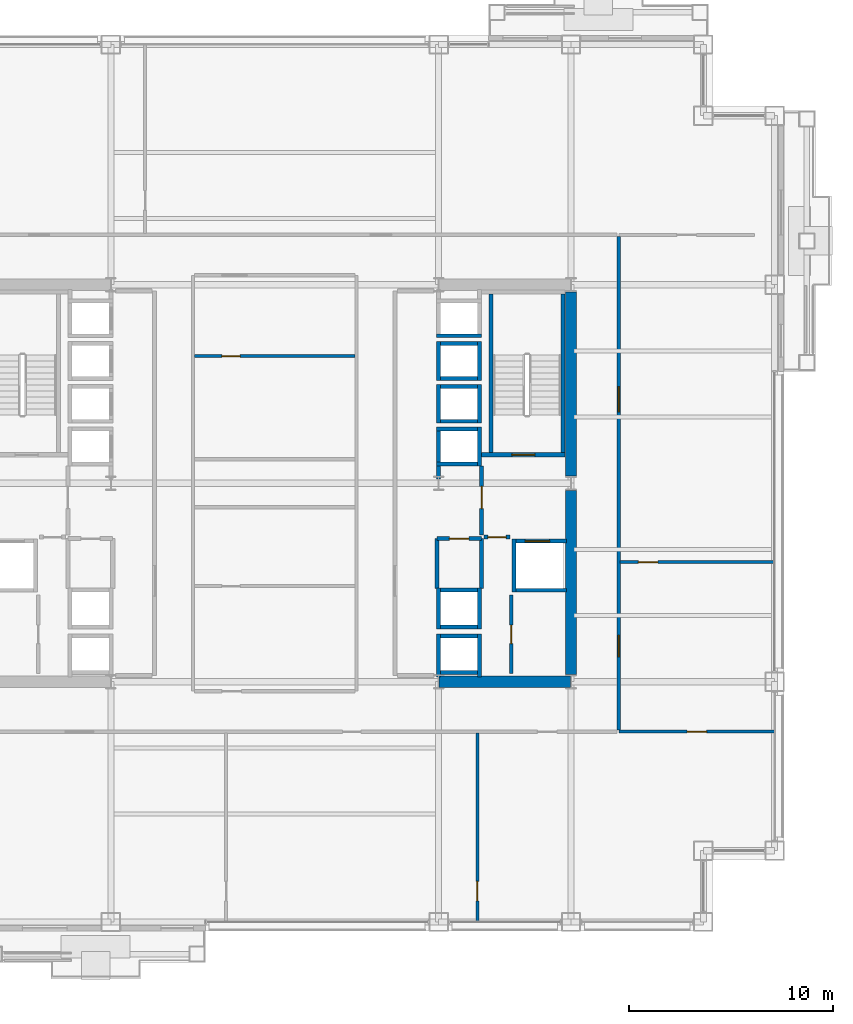
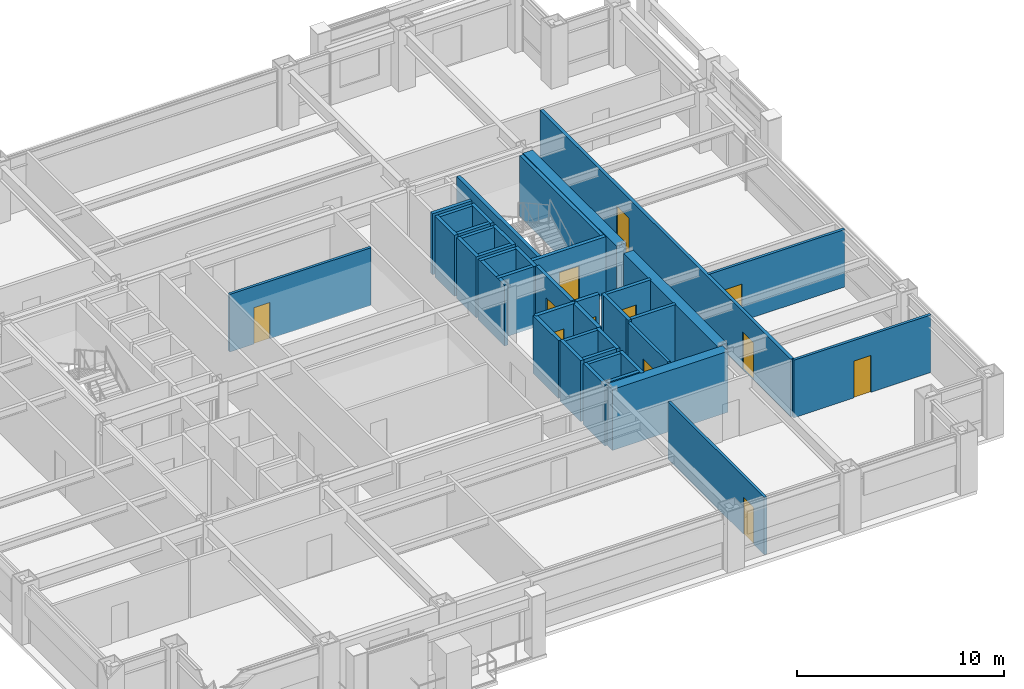
# One storey, part 27 of 31: 41 walls, 12 doors, 12 openings.
"""IFC4 building model written with IfcOpenShell, lengths in metres."""

from ifc_helpers import new_model, si_unit, direction, frame, frame_2d, origin, place, context, subcontext, project, spatial, rectangle, extrude, material, layer, layer_set, type_object, element, fill, save


model = new_model("IFC4")

# Units and contexts
model_context = context("Model", 3, precision=1e-05, world=origin(), true_north=direction((0.0, 1.0)))
body_context = subcontext(model_context, "Body", "Model", "MODEL_VIEW")
ifc_project = project(units=[si_unit("LENGTHUNIT", "METRE"), si_unit("AREAUNIT", "SQUARE_METRE"), si_unit("VOLUMEUNIT", "CUBIC_METRE"), si_unit("PLANEANGLEUNIT", "RADIAN"), si_unit("MASSUNIT", "GRAM", prefix="KILO")], contexts=[model_context])

# Site, building, storey
site_placement = place(None, origin())
site = spatial("IfcSite", under=ifc_project, at=site_placement, CompositionType="ELEMENT")
building_placement = place(site_placement, origin())
building = spatial("IfcBuilding", under=site, at=building_placement, Name="Brelmoor Portico Tower", CompositionType="ELEMENT")
storey_placement = place(building_placement, frame((0.0, 0.0, 27.60009765625)))
storey = spatial("IfcBuildingStorey", under=building, at=storey_placement, Name="L06", CompositionType="ELEMENT", Elevation=27.60009765625)

# Walls
ifc_material_1 = material(Name="Concrete C60", Category="concrete")
ifc_layer_1 = layer(ifc_material_1, 0.550048828125)
ifc_layer_set_1 = layer_set([ifc_layer_1], Name="Concrete C60")
wall_type_1 = type_object("IfcWallType", Name="WL-CORE-550", PredefinedType="SHEAR", material=ifc_layer_set_1)
wall_1_placement = place(storey_placement, frame((8.070068359375, -9.75, -0.2001953125), z_axis=(0.0, 0.0, 1.0), x_axis=(1.0, 0.0, 0.0)))
element("IfcWall", 1, at=wall_1_placement, inside=storey, type_object=wall_type_1, Name="L06 EC South Shear Wall", PredefinedType="SHEAR", context=body_context, shape_type="SweptSolid", body=[
    extrude(rectangle(XDim=6.4599609375, YDim=0.550048828125, at=frame_2d((3.22998046875, 0.0))), origin(), (0.0, 0.0, 1.0), 3.60009765625),
])
for number, where, z_axis, x_axis, name in (
    (2, (14.550048828125, -9.39990234375, -0.2001953125), (0.0, 0.0, 1.0), (0.0, 1.0, 0.0), "L06 EC Outer South Shear Wall"),
    (3, (14.550048828125, 0.35009765625, -0.2001953125), (0.0, 0.0, 1.0), (0.0, 1.0, 0.0), "L06 EC Outer North Shear Wall"),
):
    element("IfcWall", number, at=place(storey_placement, frame(where, z_axis=z_axis, x_axis=x_axis)), inside=storey, type_object=wall_type_1, Name=name, PredefinedType="SHEAR", context=body_context, shape_type="SweptSolid", body=[
        extrude(rectangle(XDim=9.0498046875, YDim=0.550048828125, at=frame_2d((4.52490234375, 0.0))), origin(), (0.0, 0.0, 1.0), 3.60009765625),
    ])

# Wall, opening, door
ifc_material_2 = material(Name="Wet-Area Moisture-Resistant Partition", Category="gypsum")
ifc_layer_2 = layer(ifc_material_2, 0.14990234375)
ifc_layer_set_2 = layer_set([ifc_layer_2], Name="Wet-Area Moisture-Resistant Partition")
wall_type_2 = type_object("IfcWallType", Name="WL-PART-150", PredefinedType="PARTITIONING", material=ifc_layer_set_2)
wall_2_placement = place(storey_placement, frame((-3.949951171875, 6.239990234375, 0.0), z_axis=(0.0, 0.0, 1.0), x_axis=(1.0, 0.0, 0.0)))
wall_2 = element("IfcWall", 4, at=wall_2_placement, inside=storey, type_object=wall_type_2, Name="L06 Central Archive Divider", PredefinedType="PARTITIONING", context=body_context, shape_type="SweptSolid", body=[
    extrude(rectangle(XDim=7.89990234375, YDim=0.14990234375, at=frame_2d((3.949951171875, 0.0))), origin(), (0.0, 0.0, 1.0), 3.39990234375),
])
opening_1_placement = place(wall_2_placement, frame((1.35009765625, 0.0, 0.0)))
opening_1 = element("IfcOpeningElement", 5, at=opening_1_placement, cuts=wall_2, Name="Opening D-IN1", PredefinedType="OPENING", context=body_context, shape_type="SweptSolid", body=[
    extrude(rectangle(XDim=0.89990234375, YDim=2.14990234375, at=frame_2d((0.449951171875, 1.074951171875))), frame((0.0, 0.0849609375, 0.0), z_axis=(0.0, -1.0, 0.0), x_axis=(1.0, 0.0, 0.0)), (0.0, 0.0, 1.0), 0.169921875),
])
ifc_material_3 = material(Name="Lacquered Timber Suite Door", Category="wood")
door_type_1 = type_object("IfcDoorType", Name="DR-INT-900", OperationType="NOTDEFINED", PredefinedType="DOOR", material=ifc_material_3)
door_1_placement = place(opening_1_placement, origin())
door_1 = element("IfcDoor", 6, at=door_1_placement, inside=storey, type_object=door_type_1, Name="D-0267 L06 Central File Room Door", OperationType="SINGLE_SWING_LEFT", OverallHeight=2.14990234375, OverallWidth=0.89990234375, PredefinedType="DOOR", context=body_context, shape_type="SweptSolid", body=[
    extrude(rectangle(XDim=0.89990234375, YDim=2.14990234375, at=frame_2d((0.449951171875, 1.074951171875))), frame((0.0, 0.02490234375, 0.0), z_axis=(0.0, -1.0, 0.0), x_axis=(1.0, 0.0, 0.0)), (0.0, 0.0, 1.0), 0.050048828125),
])
fill(opening_1, door_1)

wall_3_placement = place(storey_placement, frame((9.955078125, -21.56005859375, 0.0), z_axis=(0.0, 0.0, 1.0), x_axis=(0.0, 1.0, 0.0)))
wall_3 = element("IfcWall", 7, at=wall_3_placement, inside=storey, type_object=wall_type_2, Name="L06 South Suite Partition 2", PredefinedType="PARTITIONING", context=body_context, shape_type="SweptSolid", body=[
    extrude(rectangle(XDim=9.300048828125, YDim=0.14990234375, at=frame_2d((4.64990234375, 0.0))), origin(), (0.0, 0.0, 1.0), 3.39990234375),
])
opening_2_placement = place(wall_3_placement, frame((1.050048828125, 0.0, 0.0)))
opening_2 = element("IfcOpeningElement", 8, at=opening_2_placement, cuts=wall_3, Name="Opening D-IN2", PredefinedType="OPENING", context=body_context, shape_type="SweptSolid", body=[
    extrude(rectangle(XDim=0.9599609375, YDim=2.179931640625, at=frame_2d((0.47998046875, 1.08984375))), frame((0.0, 0.0849609375, 0.0), z_axis=(0.0, -1.0, 0.0), x_axis=(1.0, 0.0, 0.0)), (0.0, 0.0, 1.0), 0.169921875),
])
door_type_2 = type_object("IfcDoorType", Name="DR-INT-950", OperationType="NOTDEFINED", PredefinedType="DOOR", material=ifc_material_3)
door_2_placement = place(opening_2_placement, origin())
door_2 = element("IfcDoor", 9, at=door_2_placement, inside=storey, type_object=door_type_2, Name="D-0289 L06 South Suite Connecting Door 2", OperationType="SINGLE_SWING_LEFT", OverallHeight=2.179931640625, OverallWidth=0.9599609375, PredefinedType="DOOR", context=body_context, shape_type="SweptSolid", body=[
    extrude(rectangle(XDim=0.9599609375, YDim=2.179931640625, at=frame_2d((0.47998046875, 1.08984375))), frame((0.0, 0.02490234375, 0.0), z_axis=(0.0, -1.0, 0.0), x_axis=(1.0, 0.0, 0.0)), (0.0, 0.0, 1.0), 0.050048828125),
])
fill(opening_2, door_2)

wall_4_placement = place(storey_placement, frame((16.89990234375, -12.199951171875, 0.0), z_axis=(0.0, 0.0, 1.0), x_axis=(1.0, 0.0, 0.0)))
wall_4 = element("IfcWall", 10, at=wall_4_placement, inside=storey, type_object=wall_type_2, Name="L06 South Outer Closure ER", PredefinedType="PARTITIONING", context=body_context, shape_type="SweptSolid", body=[
    extrude(rectangle(XDim=7.66015625, YDim=0.14990234375, at=frame_2d((3.830078125, 0.0))), origin(), (0.0, 0.0, 1.0), 3.39990234375),
])
opening_3_placement = place(wall_4_placement, frame((3.35009765625, 0.0, 0.0)))
opening_3 = element("IfcOpeningElement", 11, at=opening_3_placement, cuts=wall_4, Name="Opening D-IN2", PredefinedType="OPENING", context=body_context, shape_type="SweptSolid", body=[
    extrude(rectangle(XDim=0.9599609375, YDim=2.179931640625, at=frame_2d((0.47998046875, 1.08984375))), frame((0.0, 0.0849609375, 0.0), z_axis=(0.0, -1.0, 0.0), x_axis=(1.0, 0.0, 0.0)), (0.0, 0.0, 1.0), 0.169921875),
])
door_3_placement = place(opening_3_placement, origin())
door_3 = element("IfcDoor", 12, at=door_3_placement, inside=storey, type_object=door_type_2, Name="D-0292 L06 ER South Corner Suite Door", OperationType="SINGLE_SWING_LEFT", OverallHeight=2.179931640625, OverallWidth=0.9599609375, PredefinedType="DOOR", context=body_context, shape_type="SweptSolid", body=[
    extrude(rectangle(XDim=0.9599609375, YDim=2.179931640625, at=frame_2d((0.47998046875, 1.08984375))), frame((0.0, 0.02490234375, 0.0), z_axis=(0.0, -1.0, 0.0), x_axis=(1.0, 0.0, 0.0)), (0.0, 0.0, 1.0), 0.050048828125),
])
fill(opening_3, door_3)

wall_5_placement = place(storey_placement, frame((16.9599609375, -3.87841796875, 0.0), z_axis=(0.0, 0.0, 1.0), x_axis=(1.0, 0.0, 0.0)))
wall_5 = element("IfcWall", 13, at=wall_5_placement, inside=storey, type_object=wall_type_2, Name="L06 E Wing Partition 1", PredefinedType="PARTITIONING", context=body_context, shape_type="SweptSolid", body=[
    extrude(rectangle(XDim=7.60009765625, YDim=0.14990234375, at=frame_2d((3.800048828125, 0.0))), origin(), (0.0, 0.0, 1.0), 3.39990234375),
])
opening_4_placement = place(wall_5_placement, frame((0.89990234375, 0.0, 0.0)))
opening_4 = element("IfcOpeningElement", 14, at=opening_4_placement, cuts=wall_5, Name="Opening D-IN2", PredefinedType="OPENING", context=body_context, shape_type="SweptSolid", body=[
    extrude(rectangle(XDim=0.9599609375, YDim=2.179931640625, at=frame_2d((0.47998046875, 1.08984375))), frame((0.0, 0.0849609375, 0.0), z_axis=(0.0, -1.0, 0.0), x_axis=(1.0, 0.0, 0.0)), (0.0, 0.0, 1.0), 0.169921875),
])
door_4_placement = place(opening_4_placement, origin())
door_4 = element("IfcDoor", 15, at=door_4_placement, inside=storey, type_object=door_type_2, Name="D-0299 L06 E Wing Suite Connecting Door 1", OperationType="SINGLE_SWING_LEFT", OverallHeight=2.179931640625, OverallWidth=0.9599609375, PredefinedType="DOOR", context=body_context, shape_type="SweptSolid", body=[
    extrude(rectangle(XDim=0.9599609375, YDim=2.179931640625, at=frame_2d((0.47998046875, 1.08984375))), frame((0.0, 0.02490234375, 0.0), z_axis=(0.0, -1.0, 0.0), x_axis=(1.0, 0.0, 0.0)), (0.0, 0.0, 1.0), 0.050048828125),
])
fill(opening_4, door_4)

ifc_material_4 = material(Name="Twin-Frame Acoustic Partition", Category="gypsum")
ifc_layer_3 = layer(ifc_material_4, 0.159912109375)
ifc_layer_set_3 = layer_set([ifc_layer_3], Name="Twin-Frame Acoustic Partition")
wall_type_3 = type_object("IfcWallType", Name="WL-PART-160", PredefinedType="PARTITIONING", material=ifc_layer_set_3)
wall_6_placement = place(storey_placement, frame((11.6201171875, -9.35009765625, 0.0), z_axis=(0.0, 0.0, 1.0), x_axis=(0.0, 1.0, 0.0)))
wall_6 = element("IfcWall", 16, at=wall_6_placement, inside=storey, type_object=wall_type_3, Name="L06 E Core Service Front Wall", PredefinedType="PARTITIONING", context=body_context, shape_type="SweptSolid", body=[
    extrude(rectangle(XDim=3.85009765625, YDim=0.159912109375, at=frame_2d((1.925048828125, 0.0))), origin(), (0.0, 0.0, 1.0), 3.39990234375),
])
opening_5_placement = place(wall_6_placement, frame((1.47509765625, 0.0, 0.0)))
opening_5 = element("IfcOpeningElement", 17, at=opening_5_placement, cuts=wall_6, Name="Opening D-IN1", PredefinedType="OPENING", context=body_context, shape_type="SweptSolid", body=[
    extrude(rectangle(XDim=0.89990234375, YDim=2.14990234375, at=frame_2d((0.449951171875, 1.074951171875))), frame((0.0, 0.08984375, 0.0), z_axis=(0.0, -1.0, 0.0), x_axis=(1.0, 0.0, 0.0)), (0.0, 0.0, 1.0), 0.179931640625),
])
door_5_placement = place(opening_5_placement, origin())
door_5 = element("IfcDoor", 18, at=door_5_placement, inside=storey, type_object=door_type_1, Name="D-0270 L06 E Male WC Door", OperationType="SINGLE_SWING_RIGHT", OverallHeight=2.14990234375, OverallWidth=0.89990234375, PredefinedType="DOOR", context=body_context, shape_type="SweptSolid", body=[
    extrude(rectangle(XDim=0.89990234375, YDim=2.14990234375, at=frame_2d((0.449951171875, 1.074951171875))), frame((0.0, 0.02490234375, 0.0), z_axis=(0.0, -1.0, 0.0), x_axis=(1.0, 0.0, 0.0)), (0.0, 0.0, 1.0), 0.050048828125),
])
fill(opening_5, door_5)

# Wall, openings, doors
ifc_material_5 = material(Name="Acoustic Corridor Fire Partition", Category="gypsum")
ifc_layer_4 = layer(ifc_material_5, 0.179931640625)
ifc_layer_set_4 = layer_set([ifc_layer_4], Name="Acoustic Corridor Fire Partition")
wall_type_4 = type_object("IfcWallType", Name="WL-PART-180", PredefinedType="PARTITIONING", material=ifc_layer_set_4)
wall_7_placement = place(storey_placement, frame((16.89990234375, -12.1201171875, 0.0), z_axis=(0.0, 0.0, 1.0), x_axis=(0.0, 1.0, 0.0)))
wall_7 = element("IfcWall", 19, at=wall_7_placement, inside=storey, type_object=wall_type_4, Name="L06 E Wing Corridor Wall", PredefinedType="PARTITIONING", context=body_context, shape_type="SweptSolid", body=[
    extrude(rectangle(XDim=24.240234375, YDim=0.179931640625, at=frame_2d((12.1201171875, 0.0))), origin(), (0.0, 0.0, 1.0), 3.39990234375),
])
opening_6_placement = place(wall_7_placement, frame((3.5908203125, 0.0, 0.0)))
opening_6 = element("IfcOpeningElement", 20, at=opening_6_placement, cuts=wall_7, Name="Opening D-OF2", PredefinedType="OPENING", context=body_context, shape_type="SweptSolid", body=[
    extrude(rectangle(XDim=1.06005859375, YDim=2.199951171875, at=frame_2d((0.530029296875, 1.10009765625))), frame((0.0, 0.099853515625, 0.0), z_axis=(0.0, -1.0, 0.0), x_axis=(1.0, 0.0, 0.0)), (0.0, 0.0, 1.0), 0.199951171875),
])
opening_7_placement = place(wall_7_placement, frame((15.620849609375, 0.0, 0.0)))
opening_7 = element("IfcOpeningElement", 21, at=opening_7_placement, cuts=wall_7, Name="Opening D-SU1", PredefinedType="OPENING", context=body_context, shape_type="SweptSolid", body=[
    extrude(rectangle(XDim=1.239990234375, YDim=2.239990234375, at=frame_2d((0.6201171875, 1.1201171875))), frame((0.0, 0.099853515625, 0.0), z_axis=(0.0, -1.0, 0.0), x_axis=(1.0, 0.0, 0.0)), (0.0, 0.0, 1.0), 0.199951171875),
])
ifc_material_6 = material(Name="Hardwood Acoustic Veneer Door", Category="wood")
door_type_3 = type_object("IfcDoorType", Name="DR-OFFICE-1050", OperationType="NOTDEFINED", PredefinedType="DOOR", material=ifc_material_6)
door_6_placement = place(opening_6_placement, origin())
door_6 = element("IfcDoor", 22, at=door_6_placement, inside=storey, type_object=door_type_3, Name="D-0297 L06 E Client Reception Room 1 Door", OperationType="SINGLE_SWING_RIGHT", OverallHeight=2.199951171875, OverallWidth=1.06005859375, PredefinedType="DOOR", context=body_context, shape_type="SweptSolid", body=[
    extrude(rectangle(XDim=1.06005859375, YDim=2.199951171875, at=frame_2d((0.530029296875, 1.10009765625))), frame((0.0, 0.02490234375, 0.0), z_axis=(0.0, -1.0, 0.0), x_axis=(1.0, 0.0, 0.0)), (0.0, 0.0, 1.0), 0.050048828125),
])
fill(opening_6, door_6)
ifc_material_7 = material(Name="Glazed Timber Executive Suite Door", Category="wood")
door_type_4 = type_object("IfcDoorType", Name="DR-SUITE-1200", OperationType="NOTDEFINED", PredefinedType="DOOR", material=ifc_material_7)
door_7_placement = place(opening_7_placement, origin())
door_7 = element("IfcDoor", 23, at=door_7_placement, inside=storey, type_object=door_type_4, Name="D-0298 L06 E Technical Archive Store 2 Door", OperationType="SINGLE_SWING_LEFT", OverallHeight=2.239990234375, OverallWidth=1.239990234375, PredefinedType="DOOR", context=body_context, shape_type="SweptSolid", body=[
    extrude(rectangle(XDim=1.239990234375, YDim=2.239990234375, at=frame_2d((0.6201171875, 1.1201171875))), frame((0.0, 0.02490234375, 0.0), z_axis=(0.0, -1.0, 0.0), x_axis=(1.0, 0.0, 0.0)), (0.0, 0.0, 1.0), 0.050048828125),
])
fill(opening_7, door_7)

# Wall, opening, door
ifc_material_8 = material(Name="Double-Stud Gypsum Fire Partition", Category="gypsum")
ifc_layer_5 = layer(ifc_material_8, 0.199951171875)
ifc_layer_set_5 = layer_set([ifc_layer_5], Name="Double-Stud Gypsum Fire Partition")
wall_type_5 = type_object("IfcWallType", Name="WL-PART-200", PredefinedType="PARTITIONING", material=ifc_layer_set_5)
wall_8_placement = place(storey_placement, frame((10.159912109375, -2.550048828125, 0.0), z_axis=(0.0, 0.0, 1.0), x_axis=(0.0, 1.0, 0.0)))
wall_8 = element("IfcWall", 24, at=wall_8_placement, inside=storey, type_object=wall_type_5, Name="L06 E Firefighting Lobby Wall", PredefinedType="PARTITIONING", context=body_context, shape_type="SweptSolid", body=[
    extrude(rectangle(XDim=3.400146484375, YDim=0.199951171875, at=frame_2d((1.7001953125, 0.0))), origin(), (0.0, 0.0, 1.0), 3.39990234375),
])
opening_8_placement = place(wall_8_placement, frame((1.300048828125, 0.0, 0.0)))
opening_8 = element("IfcOpeningElement", 25, at=opening_8_placement, cuts=wall_8, Name="Opening D-FR1", PredefinedType="OPENING", context=body_context, shape_type="SweptSolid", body=[
    extrude(rectangle(XDim=1.10009765625, YDim=2.14990234375, at=frame_2d((0.550048828125, 1.074951171875))), frame((0.0, 0.10986328125, 0.0), z_axis=(0.0, -1.0, 0.0), x_axis=(1.0, 0.0, 0.0)), (0.0, 0.0, 1.0), 0.219970703125),
])
ifc_material_9 = material(Name="Painted Galvanised Steel Fire Door", Category="steel")
door_type_5 = type_object("IfcDoorType", Name="DR-FIRE-1100", OperationType="NOTDEFINED", PredefinedType="DOOR", material=ifc_material_9)
door_8_placement = place(opening_8_placement, origin())
door_8 = element("IfcDoor", 26, at=door_8_placement, inside=storey, type_object=door_type_5, Name="D-0276 L06 E Firefighting Lobby Door", OperationType="SINGLE_SWING_LEFT", OverallHeight=2.14990234375, OverallWidth=1.10009765625, PredefinedType="DOOR", context=body_context, shape_type="SweptSolid", body=[
    extrude(rectangle(XDim=1.10009765625, YDim=2.14990234375, at=frame_2d((0.550048828125, 1.074951171875))), frame((0.0, 0.02490234375, 0.0), z_axis=(0.0, -1.0, 0.0), x_axis=(1.0, 0.0, 0.0)), (0.0, 0.0, 1.0), 0.050048828125),
])
fill(opening_8, door_8)

wall_9_placement = place(storey_placement, frame((10.280029296875, -2.64990234375, 0.0), z_axis=(0.0, 0.0, 1.0), x_axis=(1.0, 0.0, 0.0)))
wall_9 = element("IfcWall", 27, at=wall_9_placement, inside=storey, type_object=wall_type_5, Name="L06 E Firefighting Lobby South Wall", PredefinedType="PARTITIONING", context=body_context, shape_type="SweptSolid", body=[
    extrude(rectangle(XDim=1.27001953125, YDim=0.199951171875, at=frame_2d((0.635009765625, 0.0))), origin(), (0.0, 0.0, 1.0), 3.39990234375),
])
opening_9_placement = place(wall_9_placement, frame((0.18505859375, 0.0, 0.0)))
opening_9 = element("IfcOpeningElement", 28, at=opening_9_placement, cuts=wall_9, Name="Opening D-IN1", PredefinedType="OPENING", context=body_context, shape_type="SweptSolid", body=[
    extrude(rectangle(XDim=0.89990234375, YDim=2.14990234375, at=frame_2d((0.449951171875, 1.074951171875))), frame((0.0, 0.10986328125, 0.0), z_axis=(0.0, -1.0, 0.0), x_axis=(1.0, 0.0, 0.0)), (0.0, 0.0, 1.0), 0.219970703125),
])
door_9_placement = place(opening_9_placement, origin())
door_9 = element("IfcDoor", 29, at=door_9_placement, inside=storey, type_object=door_type_1, Name="D-0271 L06 E Core Service Vestibule Door", OperationType="SINGLE_SWING_RIGHT", OverallHeight=2.14990234375, OverallWidth=0.89990234375, PredefinedType="DOOR", context=body_context, shape_type="SweptSolid", body=[
    extrude(rectangle(XDim=0.89990234375, YDim=2.14990234375, at=frame_2d((0.449951171875, 1.074951171875))), frame((0.0, 0.02490234375, 0.0), z_axis=(0.0, -1.0, 0.0), x_axis=(1.0, 0.0, 0.0)), (0.0, 0.0, 1.0), 0.050048828125),
])
fill(opening_9, door_9)

wall_10_placement = place(storey_placement, frame((7.9599609375, -2.719970703125, 0.0), z_axis=(0.0, 0.0, 1.0), x_axis=(1.0, 0.0, 0.0)))
wall_10 = element("IfcWall", 30, at=wall_10_placement, inside=storey, type_object=wall_type_5, Name="L06 E Electrical Switchgear Closet Wall", PredefinedType="PARTITIONING", context=body_context, shape_type="SweptSolid", body=[
    extrude(rectangle(XDim=2.199951171875, YDim=0.199951171875, at=frame_2d((1.10009765625, 0.0))), origin(), (0.0, 0.0, 1.0), 3.39990234375),
])
opening_10_placement = place(wall_10_placement, frame((0.6201171875, 0.0, 0.0)))
opening_10 = element("IfcOpeningElement", 31, at=opening_10_placement, cuts=wall_10, Name="Opening D-FR4", PredefinedType="OPENING", context=body_context, shape_type="SweptSolid", body=[
    extrude(rectangle(XDim=0.949951171875, YDim=2.10009765625, at=frame_2d((0.47509765625, 1.050048828125))), frame((0.0, 0.10986328125, 0.0), z_axis=(0.0, -1.0, 0.0), x_axis=(1.0, 0.0, 0.0)), (0.0, 0.0, 1.0), 0.219970703125),
])
ifc_material_10 = material(Name="Painted Galvanised Steel Riser Door", Category="steel")
door_type_6 = type_object("IfcDoorType", Name="DR-FIRE-950", OperationType="NOTDEFINED", PredefinedType="DOOR", material=ifc_material_10)
door_10_placement = place(opening_10_placement, origin())
door_10 = element("IfcDoor", 32, at=door_10_placement, inside=storey, type_object=door_type_6, Name="D-0274 L06 E Electrical Switchgear Closet Door", OperationType="SINGLE_SWING_LEFT", OverallHeight=2.10009765625, OverallWidth=0.949951171875, PredefinedType="DOOR", context=body_context, shape_type="SweptSolid", body=[
    extrude(rectangle(XDim=0.949951171875, YDim=2.10009765625, at=frame_2d((0.47509765625, 1.050048828125))), frame((0.0, 0.02490234375, 0.0), z_axis=(0.0, -1.0, 0.0), x_axis=(1.0, 0.0, 0.0)), (0.0, 0.0, 1.0), 0.050048828125),
])
fill(opening_10, door_10)

# Walls
for number, where, z_axis, x_axis, name in (
    (33, (7.9599609375, -5.159912109375, 0.0), (0.0, 0.0, 1.0), (0.0, 1.0, 0.0), "L06 E Electrical Switchgear Closet Inner Wall"),
    (34, (10.159912109375, -5.159912109375, 0.0), (0.0, 0.0, 1.0), (0.0, 1.0, 0.0), "L06 E Electrical Switchgear Closet Outer Wall"),
):
    element("IfcWall", number, at=place(storey_placement, frame(where, z_axis=z_axis, x_axis=x_axis)), inside=storey, type_object=wall_type_5, Name=name, PredefinedType="PARTITIONING", context=body_context, shape_type="SweptSolid", body=[
        extrude(rectangle(XDim=2.43994140625, YDim=0.199951171875, at=frame_2d((1.219970703125, 0.0))), origin(), (0.0, 0.0, 1.0), 3.39990234375),
    ])
ifc_material_11 = material(Name="Precast Concrete C40", Category="concrete")
ifc_layer_6 = layer(ifc_material_11, 0.18994140625)
ifc_layer_set_6 = layer_set([ifc_layer_6], Name="Precast Concrete C40")
wall_type_6 = type_object("IfcWallType", Name="WL-SHAFT-180", PredefinedType="SOLIDWALL", material=ifc_layer_set_6)
wall_11_placement = place(storey_placement, frame((8.044921875, 0.2099609375, -0.2001953125), z_axis=(0.0, 0.0, 1.0), x_axis=(0.0, 1.0, 0.0)))
element("IfcWall", 35, at=wall_11_placement, inside=storey, type_object=wall_type_6, Name="L06 Lift PM1 Hoistway Front Wall", PredefinedType="SOLIDWALL", context=body_context, shape_type="SweptSolid", body=[
    extrude(rectangle(XDim=2.5400390625, YDim=0.18994140625, at=frame_2d((1.27001953125, 0.0))), origin(), (0.0, 0.0, 1.0), 3.60009765625),
])
wall_12_placement = place(storey_placement, frame((10.054931640625, 0.85009765625, -0.2001953125), z_axis=(0.0, 0.0, 1.0), x_axis=(0.0, 1.0, 0.0)))
element("IfcWall", 36, at=wall_12_placement, inside=storey, type_object=wall_type_6, Name="L06 Lift PM1 Hoistway Back Wall", PredefinedType="SOLIDWALL", context=body_context, shape_type="SweptSolid", body=[
    extrude(rectangle(XDim=1.89990234375, YDim=0.18994140625, at=frame_2d((0.949951171875, 0.0))), origin(), (0.0, 0.0, 1.0), 3.60009765625),
])
for number, where, z_axis, x_axis, name in (
    (37, (7.949951171875, 2.655029296875, -0.2001953125), (0.0, 0.0, 1.0), (1.0, 0.0, 0.0), "L06 Lift PM1 Hoistway North Wall"),
    (38, (7.949951171875, 0.945068359375, -0.2001953125), (0.0, 0.0, 1.0), (1.0, 0.0, 0.0), "L06 Lift PM1 Hoistway South Wall"),
):
    element("IfcWall", number, at=place(storey_placement, frame(where, z_axis=z_axis, x_axis=x_axis)), inside=storey, type_object=wall_type_6, Name=name, PredefinedType="SOLIDWALL", context=body_context, shape_type="SweptSolid", body=[
        extrude(rectangle(XDim=2.199951171875, YDim=0.18994140625, at=frame_2d((1.10009765625, 0.0))), origin(), (0.0, 0.0, 1.0), 3.60009765625),
    ])
for number, where, z_axis, x_axis, name in (
    (39, (8.044921875, 2.949951171875, -0.2001953125), (0.0, 0.0, 1.0), (0.0, 1.0, 0.0), "L06 Lift PM2 Hoistway Front Wall"),
    (40, (10.054931640625, 2.949951171875, -0.2001953125), (0.0, 0.0, 1.0), (0.0, 1.0, 0.0), "L06 Lift PM2 Hoistway Back Wall"),
):
    element("IfcWall", number, at=place(storey_placement, frame(where, z_axis=z_axis, x_axis=x_axis)), inside=storey, type_object=wall_type_6, Name=name, PredefinedType="SOLIDWALL", context=body_context, shape_type="SweptSolid", body=[
        extrude(rectangle(XDim=1.900146484375, YDim=0.18994140625, at=frame_2d((0.9501953125, 0.0))), origin(), (0.0, 0.0, 1.0), 3.60009765625),
    ])
for number, where, z_axis, x_axis, name in (
    (41, (7.949951171875, 4.7548828125, -0.2001953125), (0.0, 0.0, 1.0), (1.0, 0.0, 0.0), "L06 Lift PM2 Hoistway North Wall"),
    (42, (7.949951171875, 3.044921875, -0.2001953125), (0.0, 0.0, 1.0), (1.0, 0.0, 0.0), "L06 Lift PM2 Hoistway South Wall"),
):
    element("IfcWall", number, at=place(storey_placement, frame(where, z_axis=z_axis, x_axis=x_axis)), inside=storey, type_object=wall_type_6, Name=name, PredefinedType="SOLIDWALL", context=body_context, shape_type="SweptSolid", body=[
        extrude(rectangle(XDim=2.199951171875, YDim=0.18994140625, at=frame_2d((1.10009765625, 0.0))), origin(), (0.0, 0.0, 1.0), 3.60009765625),
    ])
for number, where, z_axis, x_axis, name in (
    (43, (8.044921875, 5.050048828125, -0.2001953125), (0.0, 0.0, 1.0), (0.0, 1.0, 0.0), "L06 Lift PM3 Hoistway Front Wall"),
    (44, (10.054931640625, 5.050048828125, -0.2001953125), (0.0, 0.0, 1.0), (0.0, 1.0, 0.0), "L06 Lift PM3 Hoistway Back Wall"),
):
    element("IfcWall", number, at=place(storey_placement, frame(where, z_axis=z_axis, x_axis=x_axis)), inside=storey, type_object=wall_type_6, Name=name, PredefinedType="SOLIDWALL", context=body_context, shape_type="SweptSolid", body=[
        extrude(rectangle(XDim=1.89990234375, YDim=0.18994140625, at=frame_2d((0.949951171875, 0.0))), origin(), (0.0, 0.0, 1.0), 3.60009765625),
    ])
for number, where, z_axis, x_axis, name in (
    (45, (7.949951171875, 6.85498046875, -0.2001953125), (0.0, 0.0, 1.0), (1.0, 0.0, 0.0), "L06 Lift PM3 Hoistway North Wall"),
    (46, (7.949951171875, 5.14501953125, -0.2001953125), (0.0, 0.0, 1.0), (1.0, 0.0, 0.0), "L06 Lift PM3 Hoistway South Wall"),
    (47, (7.949951171875, 7.2451171875, -0.2001953125), (0.0, 0.0, 1.0), (1.0, 0.0, 0.0), "L06 Lift PM4 Hoistway South Wall"),
):
    element("IfcWall", number, at=place(storey_placement, frame(where, z_axis=z_axis, x_axis=x_axis)), inside=storey, type_object=wall_type_6, Name=name, PredefinedType="SOLIDWALL", context=body_context, shape_type="SweptSolid", body=[
        extrude(rectangle(XDim=2.199951171875, YDim=0.18994140625, at=frame_2d((1.10009765625, 0.0))), origin(), (0.0, 0.0, 1.0), 3.60009765625),
    ])
for number, where, z_axis, x_axis, name in (
    (48, (8.044921875, -9.52001953125, -0.2001953125), (0.0, 0.0, 1.0), (0.0, 1.0, 0.0), "L06 Lift PH3 Hoistway Front Wall"),
    (49, (10.054931640625, -9.52001953125, -0.2001953125), (0.0, 0.0, 1.0), (0.0, 1.0, 0.0), "L06 Lift PH3 Hoistway Back Wall"),
):
    element("IfcWall", number, at=place(storey_placement, frame(where, z_axis=z_axis, x_axis=x_axis)), inside=storey, type_object=wall_type_6, Name=name, PredefinedType="SOLIDWALL", context=body_context, shape_type="SweptSolid", body=[
        extrude(rectangle(XDim=2.1201171875, YDim=0.18994140625, at=frame_2d((1.06005859375, 0.0))), origin(), (0.0, 0.0, 1.0), 3.60009765625),
    ])
for number, where, z_axis, x_axis, name in (
    (50, (7.949951171875, -7.4951171875, -0.2001953125), (0.0, 0.0, 1.0), (1.0, 0.0, 0.0), "L06 Lift PH3 Hoistway North Wall"),
    (51, (7.949951171875, -9.304931640625, -0.2001953125), (0.0, 0.0, 1.0), (1.0, 0.0, 0.0), "L06 Lift PH3 Hoistway South Wall"),
):
    element("IfcWall", number, at=place(storey_placement, frame(where, z_axis=z_axis, x_axis=x_axis)), inside=storey, type_object=wall_type_6, Name=name, PredefinedType="SOLIDWALL", context=body_context, shape_type="SweptSolid", body=[
        extrude(rectangle(XDim=2.199951171875, YDim=0.18994140625, at=frame_2d((1.10009765625, 0.0))), origin(), (0.0, 0.0, 1.0), 3.60009765625),
    ])
for number, where, z_axis, x_axis, name in (
    (52, (8.044921875, -7.14990234375, -0.2001953125), (0.0, 0.0, 1.0), (0.0, 1.0, 0.0), "L06 Lift PH4 Hoistway Front Wall"),
    (53, (10.054931640625, -7.14990234375, -0.2001953125), (0.0, 0.0, 1.0), (0.0, 1.0, 0.0), "L06 Lift PH4 Hoistway Back Wall"),
):
    element("IfcWall", number, at=place(storey_placement, frame(where, z_axis=z_axis, x_axis=x_axis)), inside=storey, type_object=wall_type_6, Name=name, PredefinedType="SOLIDWALL", context=body_context, shape_type="SweptSolid", body=[
        extrude(rectangle(XDim=2.0, YDim=0.18994140625, at=frame_2d((1.0, 0.0))), origin(), (0.0, 0.0, 1.0), 3.60009765625),
    ])
for number, where, z_axis, x_axis, name in (
    (54, (7.949951171875, -5.2451171875, -0.2001953125), (0.0, 0.0, 1.0), (1.0, 0.0, 0.0), "L06 Lift PH4 Hoistway North Wall"),
    (55, (7.949951171875, -7.054931640625, -0.2001953125), (0.0, 0.0, 1.0), (1.0, 0.0, 0.0), "L06 Lift PH4 Hoistway South Wall"),
):
    element("IfcWall", number, at=place(storey_placement, frame(where, z_axis=z_axis, x_axis=x_axis)), inside=storey, type_object=wall_type_6, Name=name, PredefinedType="SOLIDWALL", context=body_context, shape_type="SweptSolid", body=[
        extrude(rectangle(XDim=2.199951171875, YDim=0.18994140625, at=frame_2d((1.10009765625, 0.0))), origin(), (0.0, 0.0, 1.0), 3.60009765625),
    ])

# Wall, opening, door
wall_13_placement = place(storey_placement, frame((11.64990234375, -2.844970703125, -0.2001953125), z_axis=(0.0, 0.0, 1.0), x_axis=(1.0, 0.0, 0.0)))
wall_13 = element("IfcWall", 56, at=wall_13_placement, inside=storey, type_object=wall_type_6, Name="L06 Lift FF2 Hoistway Front Wall", PredefinedType="SOLIDWALL", context=body_context, shape_type="SweptSolid", body=[
    extrude(rectangle(XDim=2.68017578125, YDim=0.18994140625, at=frame_2d((1.340087890625, 0.0))), origin(), (0.0, 0.0, 1.0), 3.60009765625),
])
opening_11_placement = place(wall_13_placement, frame((0.64990234375, 0.0, 0.199951171875)))
opening_11 = element("IfcOpeningElement", 57, at=opening_11_placement, cuts=wall_13, Name="Opening LD-02", PredefinedType="OPENING", context=body_context, shape_type="SweptSolid", body=[
    extrude(rectangle(XDim=1.199951171875, YDim=2.199951171875, at=frame_2d((0.60009765625, 1.10009765625))), frame((0.0, 0.10498046875, 0.0), z_axis=(0.0, -1.0, 0.0), x_axis=(1.0, 0.0, 0.0)), (0.0, 0.0, 1.0), 0.2099609375),
])
ifc_material_12 = material(Name="Brushed Stainless Steel Firefighting Lift Door", Category="steel")
door_type_7 = type_object("IfcDoorType", Name="DR-LIFT-1200", OperationType="NOTDEFINED", PredefinedType="DOOR", material=ifc_material_12)
door_11_placement = place(opening_11_placement, origin())
door_11 = element("IfcDoor", 58, at=door_11_placement, inside=storey, type_object=door_type_7, Name="D-0302 L06 Lift FF2 Sliding Landing Door", OperationType="SLIDING_TO_LEFT", OverallHeight=2.199951171875, OverallWidth=1.199951171875, PredefinedType="DOOR", context=body_context, shape_type="SweptSolid", body=[
    extrude(rectangle(XDim=1.199951171875, YDim=2.199951171875, at=frame_2d((0.60009765625, 1.10009765625))), frame((0.0, 0.02490234375, 0.0), z_axis=(0.0, -1.0, 0.0), x_axis=(1.0, 0.0, 0.0)), (0.0, 0.0, 1.0), 0.050048828125),
])
fill(opening_11, door_11)

# Walls
wall_14_placement = place(storey_placement, frame((11.64990234375, -5.2548828125, -0.2001953125), z_axis=(0.0, 0.0, 1.0), x_axis=(1.0, 0.0, 0.0)))
element("IfcWall", 59, at=wall_14_placement, inside=storey, type_object=wall_type_6, Name="L06 Firefighting Lift FF2 South Wall", PredefinedType="SOLIDWALL", context=body_context, shape_type="SweptSolid", body=[
    extrude(rectangle(XDim=2.68017578125, YDim=0.18994140625, at=frame_2d((1.340087890625, 0.0))), origin(), (0.0, 0.0, 1.0), 3.60009765625),
])
wall_15_placement = place(storey_placement, frame((11.7451171875, -5.35009765625, -0.2001953125), z_axis=(0.0, 0.0, 1.0), x_axis=(0.0, 1.0, 0.0)))
element("IfcWall", 60, at=wall_15_placement, inside=storey, type_object=wall_type_6, Name="L06 Firefighting Lift FF2 Inner Wall", PredefinedType="SOLIDWALL", context=body_context, shape_type="SweptSolid", body=[
    extrude(rectangle(XDim=2.60009765625, YDim=0.18994140625, at=frame_2d((1.300048828125, 0.0))), origin(), (0.0, 0.0, 1.0), 3.60009765625),
])
ifc_material_13 = material(Name="Concrete C40", Category="concrete")
ifc_layer_7 = layer(ifc_material_13, 0.199951171875)
ifc_layer_set_7 = layer_set([ifc_layer_7], Name="Concrete C40")
wall_type_7 = type_object("IfcWallType", Name="WL-SHAFT-RC200", PredefinedType="SOLIDWALL", material=ifc_layer_set_7)
wall_16_placement = place(storey_placement, frame((14.14990234375, 1.5, -0.2001953125), z_axis=(0.0, 0.0, 1.0), x_axis=(0.0, 1.0, 0.0)))
element("IfcWall", 61, at=wall_16_placement, inside=storey, type_object=wall_type_7, Name="L06 ST-E Structural Stair Wall Outer", PredefinedType="SOLIDWALL", context=body_context, shape_type="SweptSolid", body=[
    extrude(rectangle(XDim=7.800048828125, YDim=0.199951171875, at=frame_2d((3.89990234375, 0.0))), origin(), (0.0, 0.0, 1.0), 3.60009765625),
])

# Wall, opening, door
wall_17_placement = place(storey_placement, frame((10.14990234375, 1.39990234375, -0.2001953125), z_axis=(0.0, 0.0, 1.0), x_axis=(1.0, 0.0, 0.0)))
wall_17 = element("IfcWall", 62, at=wall_17_placement, inside=storey, type_object=wall_type_7, Name="L06 ST-E Structural Stair Wall S", PredefinedType="SOLIDWALL", context=body_context, shape_type="SweptSolid", body=[
    extrude(rectangle(XDim=4.10009765625, YDim=0.199951171875, at=frame_2d((2.050048828125, 0.0))), origin(), (0.0, 0.0, 1.0), 3.60009765625),
])
opening_12_placement = place(wall_17_placement, frame((1.5, 0.0, 0.199951171875)))
opening_12 = element("IfcOpeningElement", 63, at=opening_12_placement, cuts=wall_17, Name="Opening D-ST1", PredefinedType="OPENING", context=body_context, shape_type="SweptSolid", body=[
    extrude(rectangle(XDim=1.1201171875, YDim=2.179931640625, at=frame_2d((0.56005859375, 1.08984375))), frame((0.0, 0.10986328125, 0.0), z_axis=(0.0, -1.0, 0.0), x_axis=(1.0, 0.0, 0.0)), (0.0, 0.0, 1.0), 0.219970703125),
])
door_type_8 = type_object("IfcDoorType", Name="DR-STAIR-1100", OperationType="NOTDEFINED", PredefinedType="DOOR", material=ifc_material_9)
door_12_placement = place(opening_12_placement, origin())
door_12 = element("IfcDoor", 64, at=door_12_placement, inside=storey, type_object=door_type_8, Name="D-0290 L06 ST-E Protected Exit Stair Door", OperationType="SINGLE_SWING_RIGHT", OverallHeight=2.179931640625, OverallWidth=1.1201171875, PredefinedType="DOOR", context=body_context, shape_type="SweptSolid", body=[
    extrude(rectangle(XDim=1.1201171875, YDim=2.179931640625, at=frame_2d((0.56005859375, 1.08984375))), frame((0.0, 0.02490234375, 0.0), z_axis=(0.0, -1.0, 0.0), x_axis=(1.0, 0.0, 0.0)), (0.0, 0.0, 1.0), 0.050048828125),
])
fill(opening_12, door_12)

# Wall
wall_18_placement = place(storey_placement, frame((10.6298828125, 1.5, -0.2001953125), z_axis=(0.0, 0.0, 1.0), x_axis=(0.0, 1.0, 0.0)))
element("IfcWall", 65, at=wall_18_placement, inside=storey, type_object=wall_type_7, Name="L06 ST-E Structural Stair Wall Inner", PredefinedType="SOLIDWALL", context=body_context, shape_type="SweptSolid", body=[
    extrude(rectangle(XDim=7.800048828125, YDim=0.199951171875, at=frame_2d((3.89990234375, 0.0))), origin(), (0.0, 0.0, 1.0), 3.60009765625),
])

save(model, "model.ifc")
